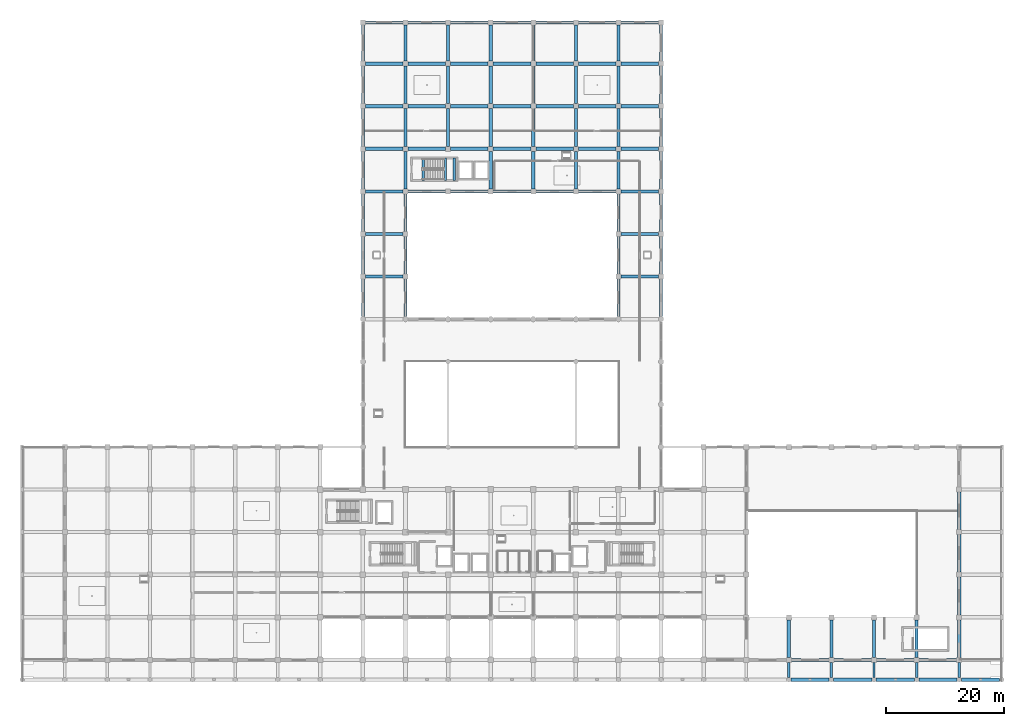
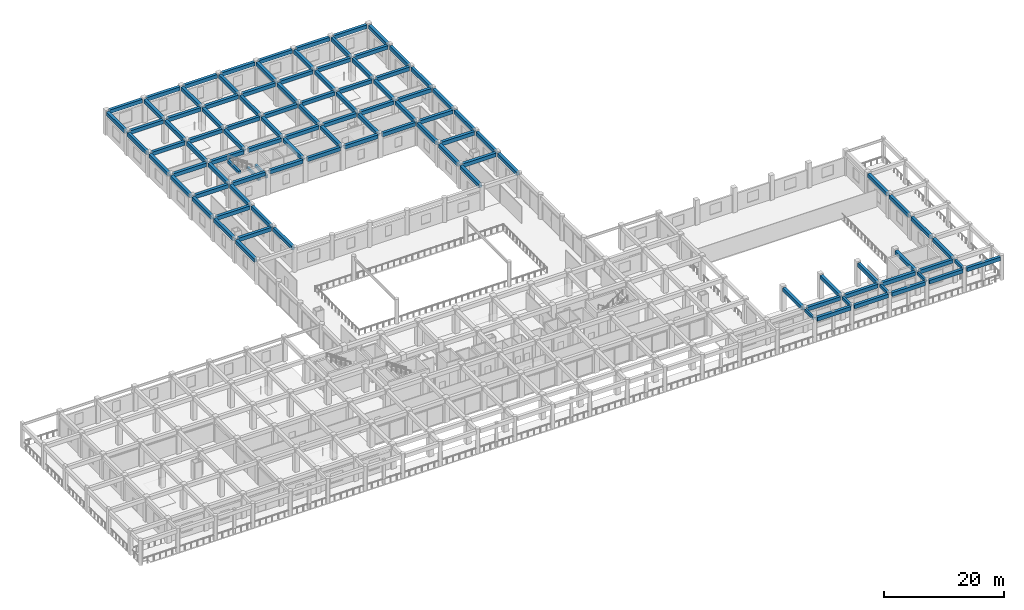
# One storey, part 26 of 54: 107 beams.
"""IFC4 building model written with IfcOpenShell, lengths in metres."""

from ifc_helpers import new_model, si_unit, direction, frame, origin, origin_2d, place, context, subcontext, project, spatial, rectangle, extrude, material, material_profile, profile_set, type_object, element, save


model = new_model("IFC4")

# Units and contexts
model_context = context("Model", 3, precision=1e-05, world=origin(), true_north=direction((0.0, 1.0)))
body_context = subcontext(model_context, "Body", "Model", "MODEL_VIEW")
ifc_project = project(units=[si_unit("LENGTHUNIT", "METRE"), si_unit("AREAUNIT", "SQUARE_METRE"), si_unit("VOLUMEUNIT", "CUBIC_METRE"), si_unit("PLANEANGLEUNIT", "RADIAN"), si_unit("MASSUNIT", "GRAM", prefix="KILO")], contexts=[model_context])

# Site, building, storey
site_placement = place(None, origin())
site = spatial("IfcSite", under=ifc_project, at=site_placement, CompositionType="ELEMENT")
building_placement = place(site_placement, origin())
building = spatial("IfcBuilding", under=site, at=building_placement, Name="Kazehaya Institute of Natural Sciences", CompositionType="ELEMENT")
storey_placement = place(building_placement, frame((0.0, 0.0, 5.39990234375)))
storey = spatial("IfcBuildingStorey", under=building, at=storey_placement, Name="L01", CompositionType="ELEMENT", Elevation=5.39990234375)

# Beams
ifc_material = material(Name="Concrete Fc36", Category="concrete")
ifc_material_profile_1 = material_profile(ifc_material, rectangle(XDim=0.39990234375, YDim=0.60009765625, at=origin_2d()), Name="RC-400x600")
ifc_profile_set_1 = profile_set([ifc_material_profile_1], Name="Concrete Fc36")
beam_type_1 = type_object("IfcBeamType", Name="BM-B-400x600", PredefinedType="BEAM", material=ifc_profile_set_1)
for number, where, z_axis, x_axis, name in (
    (1, (133.800048828125, 3.824951171875, 4.47021484375), (0.0, 1.0, 0.0), (-1.0, 0.0, 0.0), "L01 primary Y girder BMY-L01-1338-34"),
    (2, (141.0, 3.824951171875, 4.47021484375), (0.0, 1.0, 0.0), (-1.0, 0.0, 0.0), "L01 primary Y girder BMY-L01-1410-34"),
    (3, (148.199951171875, 3.824951171875, 4.47021484375), (0.0, 1.0, 0.0), (-1.0, 0.0, 0.0), "L01 primary Y girder BMY-L01-1482-34"),
    (4, (155.39990234375, 3.824951171875, 4.47021484375), (0.0, 1.0, 0.0), (-1.0, 0.0, 0.0), "L01 primary Y girder BMY-L01-1554-34"),
    (5, (162.60009765625, 3.824951171875, 4.47021484375), (0.0, 1.0, 0.0), (-1.0, 0.0, 0.0), "L01 primary Y girder BMY-L01-1626-34"),
):
    element("IfcBeam", number, at=place(storey_placement, frame(where, z_axis=z_axis, x_axis=x_axis)), inside=storey, type_object=beam_type_1, Name=name, PredefinedType="BEAM", context=body_context, shape_type="SweptSolid", body=[
        extrude(rectangle(XDim=0.39990234375, YDim=0.60009765625, at=origin_2d()), origin(), (0.0, 0.0, 1.0), 2.550048828125),
    ])
for number, where, z_axis, x_axis, name in (
    (6, (72.0, 87.820068359375, 4.739990234375), (0.0, 1.0, 0.0), (-1.0, 0.0, 0.0), "L02 ST-3 stair header trimmer beam"),
    (7, (75.75, 87.820068359375, 2.06005859375), (0.0, 1.0, 0.0), (-1.0, 0.0, 0.0), "L01 ST-3 landing beam 1"),
    (8, (77.25, 87.820068359375, 2.06005859375), (0.0, 1.0, 0.0), (-1.0, 0.0, 0.0), "L01 ST-3 landing beam 2"),
):
    element("IfcBeam", number, at=place(storey_placement, frame(where, z_axis=z_axis, x_axis=x_axis)), inside=storey, type_object=beam_type_1, Name=name, PredefinedType="BEAM", context=body_context, shape_type="SweptSolid", body=[
        extrude(rectangle(XDim=0.39990234375, YDim=0.60009765625, at=origin_2d()), origin(), (0.0, 0.0, 1.0), 3.83984375),
    ])
ifc_material_profile_2 = material_profile(ifc_material, rectangle(XDim=0.550048828125, YDim=0.75, at=origin_2d()), Name="RC-550x750")
ifc_profile_set_2 = profile_set([ifc_material_profile_2], Name="Concrete Fc36")
beam_type_2 = type_object("IfcBeamType", Name="BM-G-550x750", PredefinedType="BEAM", material=ifc_profile_set_2)
for number, where, z_axis, x_axis, name in (
    (9, (134.175048828125, 3.449951171875, 4.39501953125), (1.0, 0.0, 0.0), (0.0, 1.0, 0.0), "L01 primary X girder BMX-L01-1338-34"),
    (10, (141.375, 3.449951171875, 4.39501953125), (1.0, 0.0, 0.0), (0.0, 1.0, 0.0), "L01 primary X girder BMX-L01-1410-34"),
    (11, (148.574951171875, 3.449951171875, 4.39501953125), (1.0, 0.0, 0.0), (0.0, 1.0, 0.0), "L01 primary X girder BMX-L01-1482-34"),
):
    element("IfcBeam", number, at=place(storey_placement, frame(where, z_axis=z_axis, x_axis=x_axis)), inside=storey, type_object=beam_type_2, Name=name, PredefinedType="BEAM", context=body_context, shape_type="SweptSolid", body=[
        extrude(rectangle(XDim=0.550048828125, YDim=0.75, at=origin_2d()), origin(), (0.0, 0.0, 1.0), 6.449951171875),
    ])
beam_1_placement = place(storey_placement, frame((155.77490234375, 3.449951171875, 4.39501953125), z_axis=(1.0, 0.0, 0.0), x_axis=(0.0, 1.0, 0.0)))
element("IfcBeam", 12, at=beam_1_placement, inside=storey, type_object=beam_type_2, Name="L01 primary X girder BMX-L01-1554-34", PredefinedType="BEAM", context=body_context, shape_type="SweptSolid", body=[
    extrude(rectangle(XDim=0.550048828125, YDim=0.75, at=origin_2d()), origin(), (0.0, 0.0, 1.0), 6.4501953125),
])
beam_2_placement = place(storey_placement, frame((162.97509765625, 3.449951171875, 4.39501953125), z_axis=(1.0, 0.0, 0.0), x_axis=(0.0, 1.0, 0.0)))
element("IfcBeam", 13, at=beam_2_placement, inside=storey, type_object=beam_type_2, Name="L01 primary X girder BMX-L01-1626-34", PredefinedType="BEAM", context=body_context, shape_type="SweptSolid", body=[
    extrude(rectangle(XDim=0.550048828125, YDim=0.75, at=origin_2d()), origin(), (0.0, 0.0, 1.0), 6.449951171875),
])
for number, where, z_axis, x_axis, name in (
    (14, (134.22509765625, 6.800048828125, 4.39501953125), (1.0, 0.0, 0.0), (0.0, 1.0, 0.0), "L01 primary X girder BMX-L01-1338-68"),
    (15, (141.425048828125, 6.800048828125, 4.39501953125), (1.0, 0.0, 0.0), (0.0, 1.0, 0.0), "L01 primary X girder BMX-L01-1410-68"),
):
    element("IfcBeam", number, at=place(storey_placement, frame(where, z_axis=z_axis, x_axis=x_axis)), inside=storey, type_object=beam_type_2, Name=name, PredefinedType="BEAM", context=body_context, shape_type="SweptSolid", body=[
        extrude(rectangle(XDim=0.550048828125, YDim=0.75, at=origin_2d()), origin(), (0.0, 0.0, 1.0), 6.349853515625),
    ])
for number, where, z_axis, x_axis, name in (
    (16, (148.625, 6.800048828125, 4.39501953125), (1.0, 0.0, 0.0), (0.0, 1.0, 0.0), "L01 primary X girder BMX-L01-1482-68"),
    (17, (155.824951171875, 6.800048828125, 4.39501953125), (1.0, 0.0, 0.0), (0.0, 1.0, 0.0), "L01 primary X girder BMX-L01-1554-68"),
):
    element("IfcBeam", number, at=place(storey_placement, frame(where, z_axis=z_axis, x_axis=x_axis)), inside=storey, type_object=beam_type_2, Name=name, PredefinedType="BEAM", context=body_context, shape_type="SweptSolid", body=[
        extrude(rectangle(XDim=0.550048828125, YDim=0.75, at=origin_2d()), origin(), (0.0, 0.0, 1.0), 6.35009765625),
    ])
for number, where, z_axis, x_axis, name in (
    (18, (62.22509765625, 71.60009765625, 4.39501953125), (1.0, 0.0, 0.0), (0.0, 1.0, 0.0), "L01 primary X girder BMX-L01-618-716"),
    (19, (105.425048828125, 71.60009765625, 4.39501953125), (1.0, 0.0, 0.0), (0.0, 1.0, 0.0), "L01 primary X girder BMX-L01-1050-716"),
    (20, (62.22509765625, 78.800048828125, 4.39501953125), (1.0, 0.0, 0.0), (0.0, 1.0, 0.0), "L01 primary X girder BMX-L01-618-788"),
    (21, (105.425048828125, 78.800048828125, 4.39501953125), (1.0, 0.0, 0.0), (0.0, 1.0, 0.0), "L01 primary X girder BMX-L01-1050-788"),
    (22, (62.22509765625, 86.0, 4.39501953125), (1.0, 0.0, 0.0), (0.0, 1.0, 0.0), "L01 primary X girder BMX-L01-618-860"),
    (23, (69.425048828125, 86.0, 4.39501953125), (1.0, 0.0, 0.0), (0.0, 1.0, 0.0), "L01 primary X girder BMX-L01-690-860"),
):
    element("IfcBeam", number, at=place(storey_placement, frame(where, z_axis=z_axis, x_axis=x_axis)), inside=storey, type_object=beam_type_2, Name=name, PredefinedType="BEAM", context=body_context, shape_type="SweptSolid", body=[
        extrude(rectangle(XDim=0.550048828125, YDim=0.75, at=origin_2d()), origin(), (0.0, 0.0, 1.0), 6.349853515625),
    ])
for number, where, z_axis, x_axis, name in (
    (24, (76.625, 86.0, 4.39501953125), (1.0, 0.0, 0.0), (0.0, 1.0, 0.0), "L01 primary X girder BMX-L01-762-860"),
    (25, (83.824951171875, 86.0, 4.39501953125), (1.0, 0.0, 0.0), (0.0, 1.0, 0.0), "L01 primary X girder BMX-L01-834-860"),
    (26, (91.02490234375, 86.0, 4.39501953125), (1.0, 0.0, 0.0), (0.0, 1.0, 0.0), "L01 primary X girder BMX-L01-906-860"),
):
    element("IfcBeam", number, at=place(storey_placement, frame(where, z_axis=z_axis, x_axis=x_axis)), inside=storey, type_object=beam_type_2, Name=name, PredefinedType="BEAM", context=body_context, shape_type="SweptSolid", body=[
        extrude(rectangle(XDim=0.550048828125, YDim=0.75, at=origin_2d()), origin(), (0.0, 0.0, 1.0), 6.35009765625),
    ])
for number, where, z_axis, x_axis, name in (
    (27, (98.22509765625, 86.0, 4.39501953125), (1.0, 0.0, 0.0), (0.0, 1.0, 0.0), "L01 primary X girder BMX-L01-978-860"),
    (28, (105.425048828125, 86.0, 4.39501953125), (1.0, 0.0, 0.0), (0.0, 1.0, 0.0), "L01 primary X girder BMX-L01-1050-860"),
    (29, (62.22509765625, 93.199951171875, 4.39501953125), (1.0, 0.0, 0.0), (0.0, 1.0, 0.0), "L01 primary X girder BMX-L01-618-932"),
    (30, (69.425048828125, 93.199951171875, 4.39501953125), (1.0, 0.0, 0.0), (0.0, 1.0, 0.0), "L01 primary X girder BMX-L01-690-932"),
):
    element("IfcBeam", number, at=place(storey_placement, frame(where, z_axis=z_axis, x_axis=x_axis)), inside=storey, type_object=beam_type_2, Name=name, PredefinedType="BEAM", context=body_context, shape_type="SweptSolid", body=[
        extrude(rectangle(XDim=0.550048828125, YDim=0.75, at=origin_2d()), origin(), (0.0, 0.0, 1.0), 6.349853515625),
    ])
for number, where, z_axis, x_axis, name in (
    (31, (76.625, 93.199951171875, 4.39501953125), (1.0, 0.0, 0.0), (0.0, 1.0, 0.0), "L01 primary X girder BMX-L01-762-932"),
    (32, (83.824951171875, 93.199951171875, 4.39501953125), (1.0, 0.0, 0.0), (0.0, 1.0, 0.0), "L01 primary X girder BMX-L01-834-932"),
    (33, (91.02490234375, 93.199951171875, 4.39501953125), (1.0, 0.0, 0.0), (0.0, 1.0, 0.0), "L01 primary X girder BMX-L01-906-932"),
):
    element("IfcBeam", number, at=place(storey_placement, frame(where, z_axis=z_axis, x_axis=x_axis)), inside=storey, type_object=beam_type_2, Name=name, PredefinedType="BEAM", context=body_context, shape_type="SweptSolid", body=[
        extrude(rectangle(XDim=0.550048828125, YDim=0.75, at=origin_2d()), origin(), (0.0, 0.0, 1.0), 6.35009765625),
    ])
for number, where, z_axis, x_axis, name in (
    (34, (98.22509765625, 93.199951171875, 4.39501953125), (1.0, 0.0, 0.0), (0.0, 1.0, 0.0), "L01 primary X girder BMX-L01-978-932"),
    (35, (105.425048828125, 93.199951171875, 4.39501953125), (1.0, 0.0, 0.0), (0.0, 1.0, 0.0), "L01 primary X girder BMX-L01-1050-932"),
    (36, (62.22509765625, 100.39990234375, 4.39501953125), (1.0, 0.0, 0.0), (0.0, 1.0, 0.0), "L01 primary X girder BMX-L01-618-1004"),
    (37, (69.425048828125, 100.39990234375, 4.39501953125), (1.0, 0.0, 0.0), (0.0, 1.0, 0.0), "L01 primary X girder BMX-L01-690-1004"),
):
    element("IfcBeam", number, at=place(storey_placement, frame(where, z_axis=z_axis, x_axis=x_axis)), inside=storey, type_object=beam_type_2, Name=name, PredefinedType="BEAM", context=body_context, shape_type="SweptSolid", body=[
        extrude(rectangle(XDim=0.550048828125, YDim=0.75, at=origin_2d()), origin(), (0.0, 0.0, 1.0), 6.349853515625),
    ])
for number, where, z_axis, x_axis, name in (
    (38, (76.625, 100.39990234375, 4.39501953125), (1.0, 0.0, 0.0), (0.0, 1.0, 0.0), "L01 primary X girder BMX-L01-762-1004"),
    (39, (83.824951171875, 100.39990234375, 4.39501953125), (1.0, 0.0, 0.0), (0.0, 1.0, 0.0), "L01 primary X girder BMX-L01-834-1004"),
    (40, (91.02490234375, 100.39990234375, 4.39501953125), (1.0, 0.0, 0.0), (0.0, 1.0, 0.0), "L01 primary X girder BMX-L01-906-1004"),
):
    element("IfcBeam", number, at=place(storey_placement, frame(where, z_axis=z_axis, x_axis=x_axis)), inside=storey, type_object=beam_type_2, Name=name, PredefinedType="BEAM", context=body_context, shape_type="SweptSolid", body=[
        extrude(rectangle(XDim=0.550048828125, YDim=0.75, at=origin_2d()), origin(), (0.0, 0.0, 1.0), 6.35009765625),
    ])
for number, where, z_axis, x_axis, name in (
    (41, (98.22509765625, 100.39990234375, 4.39501953125), (1.0, 0.0, 0.0), (0.0, 1.0, 0.0), "L01 primary X girder BMX-L01-978-1004"),
    (42, (105.425048828125, 100.39990234375, 4.39501953125), (1.0, 0.0, 0.0), (0.0, 1.0, 0.0), "L01 primary X girder BMX-L01-1050-1004"),
    (43, (62.22509765625, 107.60009765625, 4.39501953125), (1.0, 0.0, 0.0), (0.0, 1.0, 0.0), "L01 primary X girder BMX-L01-618-1076"),
    (44, (69.425048828125, 107.60009765625, 4.39501953125), (1.0, 0.0, 0.0), (0.0, 1.0, 0.0), "L01 primary X girder BMX-L01-690-1076"),
):
    element("IfcBeam", number, at=place(storey_placement, frame(where, z_axis=z_axis, x_axis=x_axis)), inside=storey, type_object=beam_type_2, Name=name, PredefinedType="BEAM", context=body_context, shape_type="SweptSolid", body=[
        extrude(rectangle(XDim=0.550048828125, YDim=0.75, at=origin_2d()), origin(), (0.0, 0.0, 1.0), 6.349853515625),
    ])
for number, where, z_axis, x_axis, name in (
    (45, (76.625, 107.60009765625, 4.39501953125), (1.0, 0.0, 0.0), (0.0, 1.0, 0.0), "L01 primary X girder BMX-L01-762-1076"),
    (46, (83.824951171875, 107.60009765625, 4.39501953125), (1.0, 0.0, 0.0), (0.0, 1.0, 0.0), "L01 primary X girder BMX-L01-834-1076"),
    (47, (91.02490234375, 107.60009765625, 4.39501953125), (1.0, 0.0, 0.0), (0.0, 1.0, 0.0), "L01 primary X girder BMX-L01-906-1076"),
):
    element("IfcBeam", number, at=place(storey_placement, frame(where, z_axis=z_axis, x_axis=x_axis)), inside=storey, type_object=beam_type_2, Name=name, PredefinedType="BEAM", context=body_context, shape_type="SweptSolid", body=[
        extrude(rectangle(XDim=0.550048828125, YDim=0.75, at=origin_2d()), origin(), (0.0, 0.0, 1.0), 6.35009765625),
    ])
for number, where, z_axis, x_axis, name in (
    (48, (98.22509765625, 107.60009765625, 4.39501953125), (1.0, 0.0, 0.0), (0.0, 1.0, 0.0), "L01 primary X girder BMX-L01-978-1076"),
    (49, (105.425048828125, 107.60009765625, 4.39501953125), (1.0, 0.0, 0.0), (0.0, 1.0, 0.0), "L01 primary X girder BMX-L01-1050-1076"),
    (50, (62.22509765625, 114.550048828125, 4.39501953125), (1.0, 0.0, 0.0), (0.0, 1.0, 0.0), "L01 primary X girder BMX-L01-618-1146"),
    (51, (69.425048828125, 114.550048828125, 4.39501953125), (1.0, 0.0, 0.0), (0.0, 1.0, 0.0), "L01 primary X girder BMX-L01-690-1146"),
):
    element("IfcBeam", number, at=place(storey_placement, frame(where, z_axis=z_axis, x_axis=x_axis)), inside=storey, type_object=beam_type_2, Name=name, PredefinedType="BEAM", context=body_context, shape_type="SweptSolid", body=[
        extrude(rectangle(XDim=0.550048828125, YDim=0.75, at=origin_2d()), origin(), (0.0, 0.0, 1.0), 6.349853515625),
    ])
for number, where, z_axis, x_axis, name in (
    (52, (76.625, 114.550048828125, 4.39501953125), (1.0, 0.0, 0.0), (0.0, 1.0, 0.0), "L01 primary X girder BMX-L01-762-1146"),
    (53, (83.824951171875, 114.550048828125, 4.39501953125), (1.0, 0.0, 0.0), (0.0, 1.0, 0.0), "L01 primary X girder BMX-L01-834-1146"),
    (54, (91.02490234375, 114.550048828125, 4.39501953125), (1.0, 0.0, 0.0), (0.0, 1.0, 0.0), "L01 primary X girder BMX-L01-906-1146"),
):
    element("IfcBeam", number, at=place(storey_placement, frame(where, z_axis=z_axis, x_axis=x_axis)), inside=storey, type_object=beam_type_2, Name=name, PredefinedType="BEAM", context=body_context, shape_type="SweptSolid", body=[
        extrude(rectangle(XDim=0.550048828125, YDim=0.75, at=origin_2d()), origin(), (0.0, 0.0, 1.0), 6.35009765625),
    ])
for number, where, z_axis, x_axis, name in (
    (55, (98.22509765625, 114.550048828125, 4.39501953125), (1.0, 0.0, 0.0), (0.0, 1.0, 0.0), "L01 primary X girder BMX-L01-978-1146"),
    (56, (105.425048828125, 114.550048828125, 4.39501953125), (1.0, 0.0, 0.0), (0.0, 1.0, 0.0), "L01 primary X girder BMX-L01-1050-1146"),
):
    element("IfcBeam", number, at=place(storey_placement, frame(where, z_axis=z_axis, x_axis=x_axis)), inside=storey, type_object=beam_type_2, Name=name, PredefinedType="BEAM", context=body_context, shape_type="SweptSolid", body=[
        extrude(rectangle(XDim=0.550048828125, YDim=0.75, at=origin_2d()), origin(), (0.0, 0.0, 1.0), 6.349853515625),
    ])
beam_3_placement = place(storey_placement, frame((61.800048828125, 64.85009765625, 4.39501953125), z_axis=(0.0, 1.0, 0.0), x_axis=(-1.0, 0.0, 0.0)))
element("IfcBeam", 57, at=beam_3_placement, inside=storey, type_object=beam_type_2, Name="L01 primary Y girder BMY-L01-618-644", PredefinedType="BEAM", context=body_context, shape_type="SweptSolid", body=[
    extrude(rectangle(XDim=0.550048828125, YDim=0.75, at=origin_2d()), origin(), (0.0, 0.0, 1.0), 6.324951171875),
])
beam_4_placement = place(storey_placement, frame((61.800048828125, 72.02490234375, 4.39501953125), z_axis=(0.0, 1.0, 0.0), x_axis=(-1.0, 0.0, 0.0)))
element("IfcBeam", 58, at=beam_4_placement, inside=storey, type_object=beam_type_2, Name="L01 primary Y girder BMY-L01-618-716", PredefinedType="BEAM", context=body_context, shape_type="SweptSolid", body=[
    extrude(rectangle(XDim=0.550048828125, YDim=0.75, at=origin_2d()), origin(), (0.0, 0.0, 1.0), 6.35009765625),
])
for number, where, z_axis, x_axis, name in (
    (59, (61.800048828125, 79.22509765625, 4.39501953125), (0.0, 1.0, 0.0), (-1.0, 0.0, 0.0), "L01 primary Y girder BMY-L01-618-788"),
    (60, (61.800048828125, 86.425048828125, 4.39501953125), (0.0, 1.0, 0.0), (-1.0, 0.0, 0.0), "L01 primary Y girder BMY-L01-618-860"),
):
    element("IfcBeam", number, at=place(storey_placement, frame(where, z_axis=z_axis, x_axis=x_axis)), inside=storey, type_object=beam_type_2, Name=name, PredefinedType="BEAM", context=body_context, shape_type="SweptSolid", body=[
        extrude(rectangle(XDim=0.550048828125, YDim=0.75, at=origin_2d()), origin(), (0.0, 0.0, 1.0), 6.349853515625),
    ])
for number, where, z_axis, x_axis, name in (
    (61, (61.800048828125, 93.625, 4.39501953125), (0.0, 1.0, 0.0), (-1.0, 0.0, 0.0), "L01 primary Y girder BMY-L01-618-932"),
    (62, (61.800048828125, 100.824951171875, 4.39501953125), (0.0, 1.0, 0.0), (-1.0, 0.0, 0.0), "L01 primary Y girder BMY-L01-618-1004"),
):
    element("IfcBeam", number, at=place(storey_placement, frame(where, z_axis=z_axis, x_axis=x_axis)), inside=storey, type_object=beam_type_2, Name=name, PredefinedType="BEAM", context=body_context, shape_type="SweptSolid", body=[
        extrude(rectangle(XDim=0.550048828125, YDim=0.75, at=origin_2d()), origin(), (0.0, 0.0, 1.0), 6.35009765625),
    ])
beam_5_placement = place(storey_placement, frame((61.800048828125, 108.02490234375, 4.39501953125), z_axis=(0.0, 1.0, 0.0), x_axis=(-1.0, 0.0, 0.0)))
element("IfcBeam", 63, at=beam_5_placement, inside=storey, type_object=beam_type_2, Name="L01 primary Y girder BMY-L01-618-1076", PredefinedType="BEAM", context=body_context, shape_type="SweptSolid", body=[
    extrude(rectangle(XDim=0.550048828125, YDim=0.75, at=origin_2d()), origin(), (0.0, 0.0, 1.0), 6.10009765625),
])
beam_6_placement = place(storey_placement, frame((69.0, 64.85009765625, 4.39501953125), z_axis=(0.0, 1.0, 0.0), x_axis=(-1.0, 0.0, 0.0)))
element("IfcBeam", 64, at=beam_6_placement, inside=storey, type_object=beam_type_2, Name="L01 primary Y girder BMY-L01-690-644", PredefinedType="BEAM", context=body_context, shape_type="SweptSolid", body=[
    extrude(rectangle(XDim=0.550048828125, YDim=0.75, at=origin_2d()), origin(), (0.0, 0.0, 1.0), 6.324951171875),
])
beam_7_placement = place(storey_placement, frame((69.0, 72.02490234375, 4.39501953125), z_axis=(0.0, 1.0, 0.0), x_axis=(-1.0, 0.0, 0.0)))
element("IfcBeam", 65, at=beam_7_placement, inside=storey, type_object=beam_type_2, Name="L01 primary Y girder BMY-L01-690-716", PredefinedType="BEAM", context=body_context, shape_type="SweptSolid", body=[
    extrude(rectangle(XDim=0.550048828125, YDim=0.75, at=origin_2d()), origin(), (0.0, 0.0, 1.0), 6.35009765625),
])
for number, where, z_axis, x_axis, name in (
    (66, (69.0, 79.22509765625, 4.39501953125), (0.0, 1.0, 0.0), (-1.0, 0.0, 0.0), "L01 primary Y girder BMY-L01-690-788"),
    (67, (69.0, 86.425048828125, 4.39501953125), (0.0, 1.0, 0.0), (-1.0, 0.0, 0.0), "L01 primary Y girder BMY-L01-690-860"),
):
    element("IfcBeam", number, at=place(storey_placement, frame(where, z_axis=z_axis, x_axis=x_axis)), inside=storey, type_object=beam_type_2, Name=name, PredefinedType="BEAM", context=body_context, shape_type="SweptSolid", body=[
        extrude(rectangle(XDim=0.550048828125, YDim=0.75, at=origin_2d()), origin(), (0.0, 0.0, 1.0), 6.349853515625),
    ])
for number, where, z_axis, x_axis, name in (
    (68, (69.0, 93.625, 4.39501953125), (0.0, 1.0, 0.0), (-1.0, 0.0, 0.0), "L01 primary Y girder BMY-L01-690-932"),
    (69, (69.0, 100.824951171875, 4.39501953125), (0.0, 1.0, 0.0), (-1.0, 0.0, 0.0), "L01 primary Y girder BMY-L01-690-1004"),
):
    element("IfcBeam", number, at=place(storey_placement, frame(where, z_axis=z_axis, x_axis=x_axis)), inside=storey, type_object=beam_type_2, Name=name, PredefinedType="BEAM", context=body_context, shape_type="SweptSolid", body=[
        extrude(rectangle(XDim=0.550048828125, YDim=0.75, at=origin_2d()), origin(), (0.0, 0.0, 1.0), 6.35009765625),
    ])
beam_8_placement = place(storey_placement, frame((69.0, 108.02490234375, 4.39501953125), z_axis=(0.0, 1.0, 0.0), x_axis=(-1.0, 0.0, 0.0)))
element("IfcBeam", 70, at=beam_8_placement, inside=storey, type_object=beam_type_2, Name="L01 primary Y girder BMY-L01-690-1076", PredefinedType="BEAM", context=body_context, shape_type="SweptSolid", body=[
    extrude(rectangle(XDim=0.550048828125, YDim=0.75, at=origin_2d()), origin(), (0.0, 0.0, 1.0), 6.10009765625),
])
for number, where, z_axis, x_axis, name in (
    (71, (76.199951171875, 93.625, 4.39501953125), (0.0, 1.0, 0.0), (-1.0, 0.0, 0.0), "L01 primary Y girder BMY-L01-762-932"),
    (72, (76.199951171875, 100.824951171875, 4.39501953125), (0.0, 1.0, 0.0), (-1.0, 0.0, 0.0), "L01 primary Y girder BMY-L01-762-1004"),
):
    element("IfcBeam", number, at=place(storey_placement, frame(where, z_axis=z_axis, x_axis=x_axis)), inside=storey, type_object=beam_type_2, Name=name, PredefinedType="BEAM", context=body_context, shape_type="SweptSolid", body=[
        extrude(rectangle(XDim=0.550048828125, YDim=0.75, at=origin_2d()), origin(), (0.0, 0.0, 1.0), 6.35009765625),
    ])
beam_9_placement = place(storey_placement, frame((76.199951171875, 108.02490234375, 4.39501953125), z_axis=(0.0, 1.0, 0.0), x_axis=(-1.0, 0.0, 0.0)))
element("IfcBeam", 73, at=beam_9_placement, inside=storey, type_object=beam_type_2, Name="L01 primary Y girder BMY-L01-762-1076", PredefinedType="BEAM", context=body_context, shape_type="SweptSolid", body=[
    extrude(rectangle(XDim=0.550048828125, YDim=0.75, at=origin_2d()), origin(), (0.0, 0.0, 1.0), 6.10009765625),
])
beam_10_placement = place(storey_placement, frame((83.39990234375, 86.425048828125, 4.39501953125), z_axis=(0.0, 1.0, 0.0), x_axis=(-1.0, 0.0, 0.0)))
element("IfcBeam", 74, at=beam_10_placement, inside=storey, type_object=beam_type_2, Name="L01 primary Y girder BMY-L01-834-860", PredefinedType="BEAM", context=body_context, shape_type="SweptSolid", body=[
    extrude(rectangle(XDim=0.550048828125, YDim=0.75, at=origin_2d()), origin(), (0.0, 0.0, 1.0), 6.349853515625),
])
for number, where, z_axis, x_axis, name in (
    (75, (83.39990234375, 93.625, 4.39501953125), (0.0, 1.0, 0.0), (-1.0, 0.0, 0.0), "L01 primary Y girder BMY-L01-834-932"),
    (76, (83.39990234375, 100.824951171875, 4.39501953125), (0.0, 1.0, 0.0), (-1.0, 0.0, 0.0), "L01 primary Y girder BMY-L01-834-1004"),
):
    element("IfcBeam", number, at=place(storey_placement, frame(where, z_axis=z_axis, x_axis=x_axis)), inside=storey, type_object=beam_type_2, Name=name, PredefinedType="BEAM", context=body_context, shape_type="SweptSolid", body=[
        extrude(rectangle(XDim=0.550048828125, YDim=0.75, at=origin_2d()), origin(), (0.0, 0.0, 1.0), 6.35009765625),
    ])
beam_11_placement = place(storey_placement, frame((83.39990234375, 108.02490234375, 4.39501953125), z_axis=(0.0, 1.0, 0.0), x_axis=(-1.0, 0.0, 0.0)))
element("IfcBeam", 77, at=beam_11_placement, inside=storey, type_object=beam_type_2, Name="L01 primary Y girder BMY-L01-834-1076", PredefinedType="BEAM", context=body_context, shape_type="SweptSolid", body=[
    extrude(rectangle(XDim=0.550048828125, YDim=0.75, at=origin_2d()), origin(), (0.0, 0.0, 1.0), 6.10009765625),
])
beam_12_placement = place(storey_placement, frame((90.60009765625, 86.425048828125, 4.39501953125), z_axis=(0.0, 1.0, 0.0), x_axis=(-1.0, 0.0, 0.0)))
element("IfcBeam", 78, at=beam_12_placement, inside=storey, type_object=beam_type_2, Name="L01 primary Y girder BMY-L01-906-860", PredefinedType="BEAM", context=body_context, shape_type="SweptSolid", body=[
    extrude(rectangle(XDim=0.550048828125, YDim=0.75, at=origin_2d()), origin(), (0.0, 0.0, 1.0), 6.349853515625),
])
for number, where, z_axis, x_axis, name in (
    (79, (90.60009765625, 93.625, 4.39501953125), (0.0, 1.0, 0.0), (-1.0, 0.0, 0.0), "L01 primary Y girder BMY-L01-906-932"),
    (80, (90.60009765625, 100.824951171875, 4.39501953125), (0.0, 1.0, 0.0), (-1.0, 0.0, 0.0), "L01 primary Y girder BMY-L01-906-1004"),
):
    element("IfcBeam", number, at=place(storey_placement, frame(where, z_axis=z_axis, x_axis=x_axis)), inside=storey, type_object=beam_type_2, Name=name, PredefinedType="BEAM", context=body_context, shape_type="SweptSolid", body=[
        extrude(rectangle(XDim=0.550048828125, YDim=0.75, at=origin_2d()), origin(), (0.0, 0.0, 1.0), 6.35009765625),
    ])
beam_13_placement = place(storey_placement, frame((90.60009765625, 108.02490234375, 4.39501953125), z_axis=(0.0, 1.0, 0.0), x_axis=(-1.0, 0.0, 0.0)))
element("IfcBeam", 81, at=beam_13_placement, inside=storey, type_object=beam_type_2, Name="L01 primary Y girder BMY-L01-906-1076", PredefinedType="BEAM", context=body_context, shape_type="SweptSolid", body=[
    extrude(rectangle(XDim=0.550048828125, YDim=0.75, at=origin_2d()), origin(), (0.0, 0.0, 1.0), 6.10009765625),
])
beam_14_placement = place(storey_placement, frame((97.800048828125, 86.425048828125, 4.39501953125), z_axis=(0.0, 1.0, 0.0), x_axis=(-1.0, 0.0, 0.0)))
element("IfcBeam", 82, at=beam_14_placement, inside=storey, type_object=beam_type_2, Name="L01 primary Y girder BMY-L01-978-860", PredefinedType="BEAM", context=body_context, shape_type="SweptSolid", body=[
    extrude(rectangle(XDim=0.550048828125, YDim=0.75, at=origin_2d()), origin(), (0.0, 0.0, 1.0), 6.349853515625),
])
for number, where, z_axis, x_axis, name in (
    (83, (97.800048828125, 93.625, 4.39501953125), (0.0, 1.0, 0.0), (-1.0, 0.0, 0.0), "L01 primary Y girder BMY-L01-978-932"),
    (84, (97.800048828125, 100.824951171875, 4.39501953125), (0.0, 1.0, 0.0), (-1.0, 0.0, 0.0), "L01 primary Y girder BMY-L01-978-1004"),
):
    element("IfcBeam", number, at=place(storey_placement, frame(where, z_axis=z_axis, x_axis=x_axis)), inside=storey, type_object=beam_type_2, Name=name, PredefinedType="BEAM", context=body_context, shape_type="SweptSolid", body=[
        extrude(rectangle(XDim=0.550048828125, YDim=0.75, at=origin_2d()), origin(), (0.0, 0.0, 1.0), 6.35009765625),
    ])
beam_15_placement = place(storey_placement, frame((97.800048828125, 108.02490234375, 4.39501953125), z_axis=(0.0, 1.0, 0.0), x_axis=(-1.0, 0.0, 0.0)))
element("IfcBeam", 85, at=beam_15_placement, inside=storey, type_object=beam_type_2, Name="L01 primary Y girder BMY-L01-978-1076", PredefinedType="BEAM", context=body_context, shape_type="SweptSolid", body=[
    extrude(rectangle(XDim=0.550048828125, YDim=0.75, at=origin_2d()), origin(), (0.0, 0.0, 1.0), 6.10009765625),
])
beam_16_placement = place(storey_placement, frame((105.0, 64.85009765625, 4.39501953125), z_axis=(0.0, 1.0, 0.0), x_axis=(-1.0, 0.0, 0.0)))
element("IfcBeam", 86, at=beam_16_placement, inside=storey, type_object=beam_type_2, Name="L01 primary Y girder BMY-L01-1050-644", PredefinedType="BEAM", context=body_context, shape_type="SweptSolid", body=[
    extrude(rectangle(XDim=0.550048828125, YDim=0.75, at=origin_2d()), origin(), (0.0, 0.0, 1.0), 6.324951171875),
])
beam_17_placement = place(storey_placement, frame((105.0, 72.02490234375, 4.39501953125), z_axis=(0.0, 1.0, 0.0), x_axis=(-1.0, 0.0, 0.0)))
element("IfcBeam", 87, at=beam_17_placement, inside=storey, type_object=beam_type_2, Name="L01 primary Y girder BMY-L01-1050-716", PredefinedType="BEAM", context=body_context, shape_type="SweptSolid", body=[
    extrude(rectangle(XDim=0.550048828125, YDim=0.75, at=origin_2d()), origin(), (0.0, 0.0, 1.0), 6.35009765625),
])
for number, where, z_axis, x_axis, name in (
    (88, (105.0, 79.22509765625, 4.39501953125), (0.0, 1.0, 0.0), (-1.0, 0.0, 0.0), "L01 primary Y girder BMY-L01-1050-788"),
    (89, (105.0, 86.425048828125, 4.39501953125), (0.0, 1.0, 0.0), (-1.0, 0.0, 0.0), "L01 primary Y girder BMY-L01-1050-860"),
):
    element("IfcBeam", number, at=place(storey_placement, frame(where, z_axis=z_axis, x_axis=x_axis)), inside=storey, type_object=beam_type_2, Name=name, PredefinedType="BEAM", context=body_context, shape_type="SweptSolid", body=[
        extrude(rectangle(XDim=0.550048828125, YDim=0.75, at=origin_2d()), origin(), (0.0, 0.0, 1.0), 6.349853515625),
    ])
for number, where, z_axis, x_axis, name in (
    (90, (105.0, 93.625, 4.39501953125), (0.0, 1.0, 0.0), (-1.0, 0.0, 0.0), "L01 primary Y girder BMY-L01-1050-932"),
    (91, (105.0, 100.824951171875, 4.39501953125), (0.0, 1.0, 0.0), (-1.0, 0.0, 0.0), "L01 primary Y girder BMY-L01-1050-1004"),
):
    element("IfcBeam", number, at=place(storey_placement, frame(where, z_axis=z_axis, x_axis=x_axis)), inside=storey, type_object=beam_type_2, Name=name, PredefinedType="BEAM", context=body_context, shape_type="SweptSolid", body=[
        extrude(rectangle(XDim=0.550048828125, YDim=0.75, at=origin_2d()), origin(), (0.0, 0.0, 1.0), 6.35009765625),
    ])
beam_18_placement = place(storey_placement, frame((105.0, 108.02490234375, 4.39501953125), z_axis=(0.0, 1.0, 0.0), x_axis=(-1.0, 0.0, 0.0)))
element("IfcBeam", 92, at=beam_18_placement, inside=storey, type_object=beam_type_2, Name="L01 primary Y girder BMY-L01-1050-1076", PredefinedType="BEAM", context=body_context, shape_type="SweptSolid", body=[
    extrude(rectangle(XDim=0.550048828125, YDim=0.75, at=origin_2d()), origin(), (0.0, 0.0, 1.0), 6.10009765625),
])
beam_19_placement = place(storey_placement, frame((112.199951171875, 64.85009765625, 4.39501953125), z_axis=(0.0, 1.0, 0.0), x_axis=(-1.0, 0.0, 0.0)))
element("IfcBeam", 93, at=beam_19_placement, inside=storey, type_object=beam_type_2, Name="L01 primary Y girder BMY-L01-1122-644", PredefinedType="BEAM", context=body_context, shape_type="SweptSolid", body=[
    extrude(rectangle(XDim=0.550048828125, YDim=0.75, at=origin_2d()), origin(), (0.0, 0.0, 1.0), 6.324951171875),
])
beam_20_placement = place(storey_placement, frame((112.199951171875, 72.02490234375, 4.39501953125), z_axis=(0.0, 1.0, 0.0), x_axis=(-1.0, 0.0, 0.0)))
element("IfcBeam", 94, at=beam_20_placement, inside=storey, type_object=beam_type_2, Name="L01 primary Y girder BMY-L01-1122-716", PredefinedType="BEAM", context=body_context, shape_type="SweptSolid", body=[
    extrude(rectangle(XDim=0.550048828125, YDim=0.75, at=origin_2d()), origin(), (0.0, 0.0, 1.0), 6.35009765625),
])
for number, where, z_axis, x_axis, name in (
    (95, (112.199951171875, 79.22509765625, 4.39501953125), (0.0, 1.0, 0.0), (-1.0, 0.0, 0.0), "L01 primary Y girder BMY-L01-1122-788"),
    (96, (112.199951171875, 86.425048828125, 4.39501953125), (0.0, 1.0, 0.0), (-1.0, 0.0, 0.0), "L01 primary Y girder BMY-L01-1122-860"),
):
    element("IfcBeam", number, at=place(storey_placement, frame(where, z_axis=z_axis, x_axis=x_axis)), inside=storey, type_object=beam_type_2, Name=name, PredefinedType="BEAM", context=body_context, shape_type="SweptSolid", body=[
        extrude(rectangle(XDim=0.550048828125, YDim=0.75, at=origin_2d()), origin(), (0.0, 0.0, 1.0), 6.349853515625),
    ])
for number, where, z_axis, x_axis, name in (
    (97, (112.199951171875, 93.625, 4.39501953125), (0.0, 1.0, 0.0), (-1.0, 0.0, 0.0), "L01 primary Y girder BMY-L01-1122-932"),
    (98, (112.199951171875, 100.824951171875, 4.39501953125), (0.0, 1.0, 0.0), (-1.0, 0.0, 0.0), "L01 primary Y girder BMY-L01-1122-1004"),
):
    element("IfcBeam", number, at=place(storey_placement, frame(where, z_axis=z_axis, x_axis=x_axis)), inside=storey, type_object=beam_type_2, Name=name, PredefinedType="BEAM", context=body_context, shape_type="SweptSolid", body=[
        extrude(rectangle(XDim=0.550048828125, YDim=0.75, at=origin_2d()), origin(), (0.0, 0.0, 1.0), 6.35009765625),
    ])
beam_21_placement = place(storey_placement, frame((112.199951171875, 108.02490234375, 4.39501953125), z_axis=(0.0, 1.0, 0.0), x_axis=(-1.0, 0.0, 0.0)))
element("IfcBeam", 99, at=beam_21_placement, inside=storey, type_object=beam_type_2, Name="L01 primary Y girder BMY-L01-1122-1076", PredefinedType="BEAM", context=body_context, shape_type="SweptSolid", body=[
    extrude(rectangle(XDim=0.550048828125, YDim=0.75, at=origin_2d()), origin(), (0.0, 0.0, 1.0), 6.10009765625),
])
for number, where, z_axis, x_axis, name in (
    (100, (133.800048828125, 7.22509765625, 4.39501953125), (0.0, 1.0, 0.0), (-1.0, 0.0, 0.0), "L01 primary Y girder BMY-L01-1338-68"),
    (101, (141.0, 7.22509765625, 4.39501953125), (0.0, 1.0, 0.0), (-1.0, 0.0, 0.0), "L01 primary Y girder BMY-L01-1410-68"),
    (102, (148.199951171875, 7.22509765625, 4.39501953125), (0.0, 1.0, 0.0), (-1.0, 0.0, 0.0), "L01 primary Y girder BMY-L01-1482-68"),
    (103, (155.39990234375, 7.22509765625, 4.39501953125), (0.0, 1.0, 0.0), (-1.0, 0.0, 0.0), "L01 primary Y girder BMY-L01-1554-68"),
    (104, (162.60009765625, 7.22509765625, 4.39501953125), (0.0, 1.0, 0.0), (-1.0, 0.0, 0.0), "L01 primary Y girder BMY-L01-1626-68"),
    (105, (162.60009765625, 14.425048828125, 4.39501953125), (0.0, 1.0, 0.0), (-1.0, 0.0, 0.0), "L01 primary Y girder BMY-L01-1626-140"),
):
    element("IfcBeam", number, at=place(storey_placement, frame(where, z_axis=z_axis, x_axis=x_axis)), inside=storey, type_object=beam_type_2, Name=name, PredefinedType="BEAM", context=body_context, shape_type="SweptSolid", body=[
        extrude(rectangle(XDim=0.550048828125, YDim=0.75, at=origin_2d()), origin(), (0.0, 0.0, 1.0), 6.349853515625),
    ])
for number, where, z_axis, x_axis, name in (
    (106, (162.60009765625, 21.625, 4.39501953125), (0.0, 1.0, 0.0), (-1.0, 0.0, 0.0), "L01 primary Y girder BMY-L01-1626-212"),
    (107, (162.60009765625, 28.824951171875, 4.39501953125), (0.0, 1.0, 0.0), (-1.0, 0.0, 0.0), "L01 primary Y girder BMY-L01-1626-284"),
):
    element("IfcBeam", number, at=place(storey_placement, frame(where, z_axis=z_axis, x_axis=x_axis)), inside=storey, type_object=beam_type_2, Name=name, PredefinedType="BEAM", context=body_context, shape_type="SweptSolid", body=[
        extrude(rectangle(XDim=0.550048828125, YDim=0.75, at=origin_2d()), origin(), (0.0, 0.0, 1.0), 6.35009765625),
    ])

save(model, "model.ifc")
